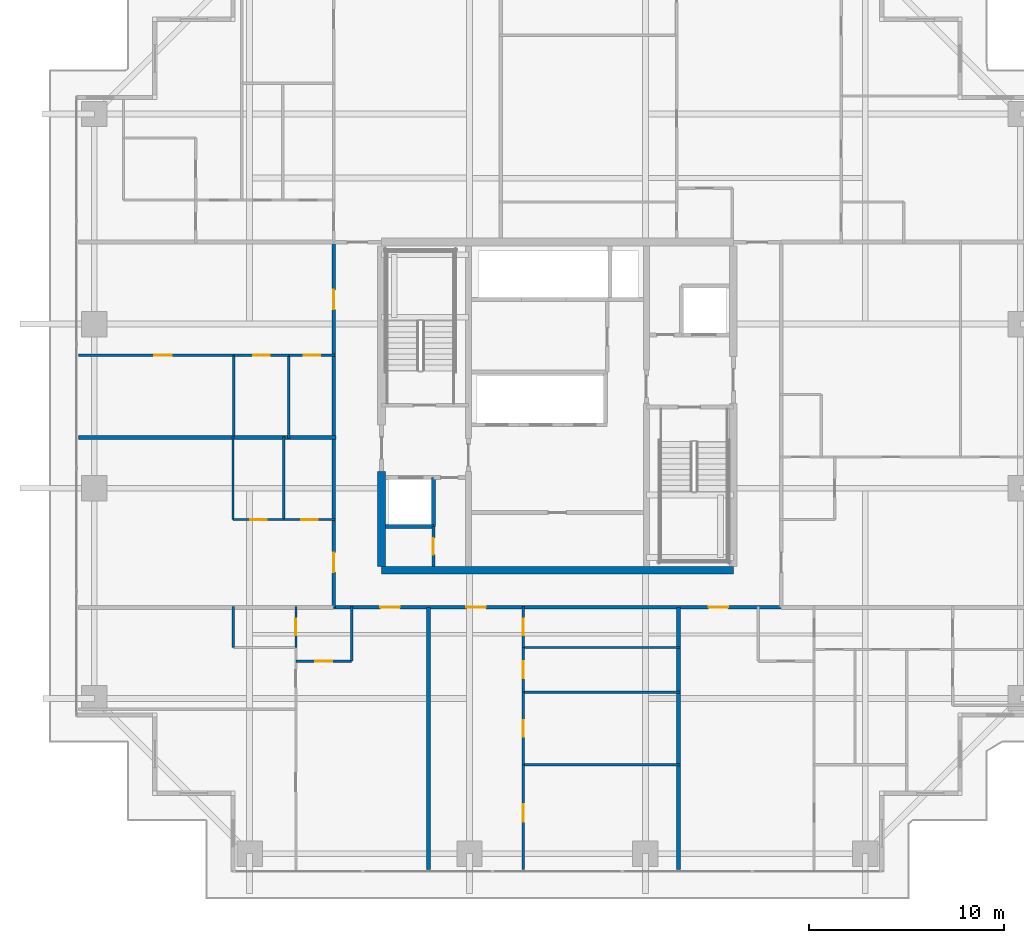
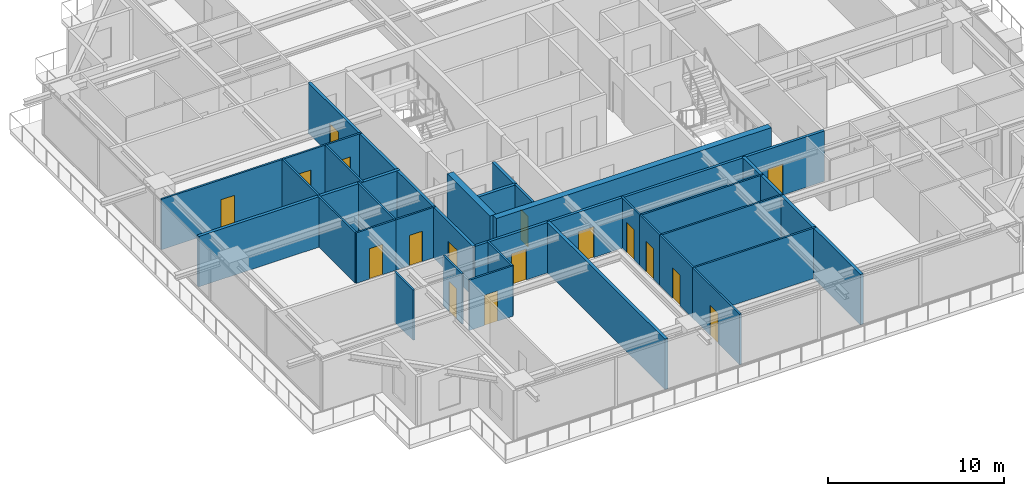
# One storey, part 23 of 33: 30 walls, 17 doors, 17 openings.
"""IFC4 building model written with IfcOpenShell, lengths in metres."""

from ifc_helpers import new_model, si_unit, direction, frame, frame_2d, origin, place, context, subcontext, project, spatial, rectangle, extrude, source, transform, mapped, material, layer, layer_set, type_object, element, fill, save


model = new_model("IFC4")

# Units and contexts
model_context = context("Model", 3, precision=1e-05, world=origin(), true_north=direction((0.0, 1.0)))
body_context = subcontext(model_context, "Body", "Model", "MODEL_VIEW")
ifc_project = project(units=[si_unit("LENGTHUNIT", "METRE"), si_unit("AREAUNIT", "SQUARE_METRE"), si_unit("VOLUMEUNIT", "CUBIC_METRE"), si_unit("PLANEANGLEUNIT", "RADIAN"), si_unit("MASSUNIT", "GRAM", prefix="KILO")], contexts=[model_context])

# Site, building, storey
site_placement = place(None, origin())
site = spatial("IfcSite", under=ifc_project, at=site_placement, CompositionType="ELEMENT")
building_placement = place(site_placement, origin())
building = spatial("IfcBuilding", under=site, at=building_placement, Name="Serunith Strait Residences", CompositionType="ELEMENT")
storey_placement = place(building_placement, frame((0.0, 0.0, 165.14990234375)))
storey = spatial("IfcBuildingStorey", under=building, at=storey_placement, Name="L41", CompositionType="ELEMENT", Elevation=165.14990234375)

# Wall, opening, door
ifc_material_1 = material(Name="Fire-rated masonry service closet wall", Category="masonry")
ifc_layer_1 = layer(ifc_material_1, 0.14990234375, Name="Fire-rated masonry service closet wall")
ifc_layer_set_1 = layer_set([ifc_layer_1], Name="Fire-rated masonry service closet wall")
wall_type_1 = type_object("IfcWallType", Name="IW-BOH-150", PredefinedType="PARTITIONING", material=ifc_layer_set_1)
wall_1_placement = place(storey_placement, frame((26.050048828125, 17.0, 0.0), z_axis=(0.0, 0.0, 1.0), x_axis=(0.0, 1.0, 0.0)))
wall_1 = element("IfcWall", 1, at=wall_1_placement, inside=storey, type_object=wall_type_1, Name="L41 Partition Wall 012", PredefinedType="PARTITIONING", context=body_context, shape_type="SweptSolid", body=[
    extrude(rectangle(XDim=2.048095703125, YDim=0.14990234375, at=frame_2d((1.02392578125, 0.0))), origin(), (0.0, 0.0, 1.0), 3.489990234375),
])
opening_1_placement = place(wall_1_placement, frame((0.59912109375, 0.0, 0.0)))
opening_1 = element("IfcOpeningElement", 2, at=opening_1_placement, cuts=wall_1, Name="Opening FD-850", PredefinedType="OPENING", context=body_context, shape_type="SweptSolid", body=[
    extrude(rectangle(XDim=0.85009765625, YDim=2.10009765625, at=frame_2d((0.425048828125, 1.050048828125))), frame((0.0, 0.0849609375, 0.0), z_axis=(0.0, -1.0, 0.0), x_axis=(1.0, 0.0, 0.0)), (0.0, 0.0, 1.0), 0.169921875),
])
ifc_material_2 = material(Name="Powder-coated steel service closet door", Category="steel")
door_type_1 = type_object("IfcDoorType", Name="FD-BOH-850", OperationType="NOTDEFINED", PredefinedType="DOOR", material=ifc_material_2)
shared_shape_1 = source(origin(), body_context, "Body", "SweptSolid", [
    extrude(rectangle(XDim=0.85009765625, YDim=2.10009765625, at=frame_2d((0.425048828125, 1.050048828125))), frame((0.0, 0.02490234375, 0.0), z_axis=(0.0, -1.0, 0.0), x_axis=(1.0, 0.0, 0.0)), (0.0, 0.0, 1.0), 0.050048828125),
])
door_1_placement = place(opening_1_placement, origin())
door_1 = element("IfcDoor", 3, at=door_1_placement, inside=storey, type_object=door_type_1, Name="L41 Cleaner Store Door", OperationType="SINGLE_SWING_LEFT", OverallHeight=2.10009765625, OverallWidth=0.85009765625, PredefinedType="DOOR", context=body_context, shape_type="MappedRepresentation", body=[
    mapped(shared_shape_1, transform((0.0, 0.0, 0.0), scale=1.0)),
])
fill(opening_1, door_1)

# Wall, openings, doors
ifc_material_3 = material(Name="Fire-rated acoustic gypsum partition")
ifc_layer_2 = layer(ifc_material_3, 0.179931640625, Name="Fire-rated acoustic gypsum partition")
ifc_layer_set_2 = layer_set([ifc_layer_2], Name="Fire-rated acoustic gypsum partition")
wall_type_2 = type_object("IfcWallType", Name="IW-CORR-180", PredefinedType="PARTITIONING", material=ifc_layer_set_2)
wall_2_placement = place(storey_placement, frame((20.951904296875, 14.89990234375, 0.0), z_axis=(0.0, 0.0, 1.0), x_axis=(1.0, 0.0, 0.0)))
wall_2 = element("IfcWall", 4, at=wall_2_placement, inside=storey, type_object=wall_type_2, Name="L41 Partition Wall 023", PredefinedType="PARTITIONING", context=body_context, shape_type="SweptSolid", body=[
    extrude(rectangle(XDim=22.89599609375, YDim=0.179931640625, at=frame_2d((11.447998046875, 0.0))), origin(), (0.0, 0.0, 1.0), 3.489990234375),
])
opening_2_placement = place(wall_2_placement, frame((2.386962890625, 0.0, 0.0)))
opening_2 = element("IfcOpeningElement", 5, at=opening_2_placement, cuts=wall_2, Name="Opening D-APT1000", PredefinedType="OPENING", context=body_context, shape_type="SweptSolid", body=[
    extrude(rectangle(XDim=1.0, YDim=2.14990234375, at=frame_2d((0.5, 1.074951171875))), frame((0.0, 0.10009765625, 0.0), z_axis=(0.0, -1.0, 0.0), x_axis=(1.0, 0.0, 0.0)), (0.0, 0.0, 1.0), 0.199951171875),
])
opening_3_placement = place(wall_2_placement, frame((6.7880859375, 0.0, 0.0)))
opening_3 = element("IfcOpeningElement", 6, at=opening_3_placement, cuts=wall_2, Name="Opening D-APT1000", PredefinedType="OPENING", context=body_context, shape_type="SweptSolid", body=[
    extrude(rectangle(XDim=1.0, YDim=2.14990234375, at=frame_2d((0.5, 1.074951171875))), frame((0.0, 0.10009765625, 0.0), z_axis=(0.0, -1.0, 0.0), x_axis=(1.0, 0.0, 0.0)), (0.0, 0.0, 1.0), 0.199951171875),
])
opening_4_placement = place(wall_2_placement, frame((19.180908203125, 0.0, 0.0)))
opening_4 = element("IfcOpeningElement", 7, at=opening_4_placement, cuts=wall_2, Name="Opening D-APT1000", PredefinedType="OPENING", context=body_context, shape_type="SweptSolid", body=[
    extrude(rectangle(XDim=1.0, YDim=2.14990234375, at=frame_2d((0.5, 1.074951171875))), frame((0.0, 0.10009765625, 0.0), z_axis=(0.0, -1.0, 0.0), x_axis=(1.0, 0.0, 0.0)), (0.0, 0.0, 1.0), 0.199951171875),
])
ifc_material_4 = material(Name="Solid timber engineered fire door", Category="wood")
door_type_2 = type_object("IfcDoorType", Name="ID-APT-1000", OperationType="NOTDEFINED", PredefinedType="DOOR", material=ifc_material_4)
shared_shape_2 = source(origin(), body_context, "Body", "SweptSolid", [
    extrude(rectangle(XDim=1.0, YDim=2.14990234375, at=frame_2d((0.5, 1.074951171875))), frame((0.0, 0.02490234375, 0.0), z_axis=(0.0, -1.0, 0.0), x_axis=(1.0, 0.0, 0.0)), (0.0, 0.0, 1.0), 0.050048828125),
])
door_2_placement = place(opening_2_placement, origin())
door_2 = element("IfcDoor", 8, at=door_2_placement, inside=storey, type_object=door_type_2, Name="L41 Unit 01 Entrance Door", OperationType="SINGLE_SWING_RIGHT", OverallHeight=2.14990234375, OverallWidth=1.0, PredefinedType="DOOR", context=body_context, shape_type="MappedRepresentation", body=[
    mapped(shared_shape_2, transform((0.0, 0.0, 0.0), scale=1.0)),
])
fill(opening_2, door_2)
door_3_placement = place(opening_3_placement, origin())
door_3 = element("IfcDoor", 9, at=door_3_placement, inside=storey, type_object=door_type_2, Name="L41 Unit 02 Entrance Door", OperationType="SINGLE_SWING_LEFT", OverallHeight=2.14990234375, OverallWidth=1.0, PredefinedType="DOOR", context=body_context, shape_type="MappedRepresentation", body=[
    mapped(shared_shape_2, transform((0.0, 0.0, 0.0), scale=1.0)),
])
fill(opening_3, door_3)
door_4_placement = place(opening_4_placement, origin())
door_4 = element("IfcDoor", 10, at=door_4_placement, inside=storey, type_object=door_type_2, Name="L41 Unit 03 Entrance Door", OperationType="SINGLE_SWING_RIGHT", OverallHeight=2.14990234375, OverallWidth=1.0, PredefinedType="DOOR", context=body_context, shape_type="MappedRepresentation", body=[
    mapped(shared_shape_2, transform((0.0, 0.0, 0.0), scale=1.0)),
])
fill(opening_4, door_4)

wall_3_placement = place(storey_placement, frame((20.949951171875, 14.89990234375, 0.0), z_axis=(0.0, 0.0, 1.0), x_axis=(0.0, 1.0, 0.0)))
wall_3 = element("IfcWall", 11, at=wall_3_placement, inside=storey, type_object=wall_type_2, Name="L41 Partition Wall 024", PredefinedType="PARTITIONING", context=body_context, shape_type="SweptSolid", body=[
    extrude(rectangle(XDim=18.7001953125, YDim=0.179931640625, at=frame_2d((9.35009765625, 0.0))), origin(), (0.0, 0.0, 1.0), 3.489990234375),
])
opening_5_placement = place(wall_3_placement, frame((1.804931640625, 0.0, 0.0)))
opening_5 = element("IfcOpeningElement", 12, at=opening_5_placement, cuts=wall_3, Name="Opening D-APT1000", PredefinedType="OPENING", context=body_context, shape_type="SweptSolid", body=[
    extrude(rectangle(XDim=1.0, YDim=2.14990234375, at=frame_2d((0.5, 1.074951171875))), frame((0.0, 0.10009765625, 0.0), z_axis=(0.0, -1.0, 0.0), x_axis=(1.0, 0.0, 0.0)), (0.0, 0.0, 1.0), 0.199951171875),
])
opening_6_placement = place(wall_3_placement, frame((15.257080078125, 0.0, 0.0)))
opening_6 = element("IfcOpeningElement", 13, at=opening_6_placement, cuts=wall_3, Name="Opening D-APT1000", PredefinedType="OPENING", context=body_context, shape_type="SweptSolid", body=[
    extrude(rectangle(XDim=1.0, YDim=2.14990234375, at=frame_2d((0.5, 1.074951171875))), frame((0.0, 0.10009765625, 0.0), z_axis=(0.0, -1.0, 0.0), x_axis=(1.0, 0.0, 0.0)), (0.0, 0.0, 1.0), 0.199951171875),
])
door_5_placement = place(opening_5_placement, origin())
door_5 = element("IfcDoor", 14, at=door_5_placement, inside=storey, type_object=door_type_2, Name="L41 Unit 06 Entrance Door", OperationType="SINGLE_SWING_LEFT", OverallHeight=2.14990234375, OverallWidth=1.0, PredefinedType="DOOR", context=body_context, shape_type="MappedRepresentation", body=[
    mapped(shared_shape_2, transform((0.0, 0.0, 0.0), scale=1.0)),
])
fill(opening_5, door_5)
door_6_placement = place(opening_6_placement, origin())
door_6 = element("IfcDoor", 15, at=door_6_placement, inside=storey, type_object=door_type_2, Name="L41 Unit 07 Entrance Door", OperationType="SINGLE_SWING_RIGHT", OverallHeight=2.14990234375, OverallWidth=1.0, PredefinedType="DOOR", context=body_context, shape_type="MappedRepresentation", body=[
    mapped(shared_shape_2, transform((0.0, 0.0, 0.0), scale=1.0)),
])
fill(opening_6, door_6)

# Wall, opening, door
ifc_material_5 = material(Name="Lightweight steel-stud gypsum partition", Category="steel")
ifc_layer_3 = layer(ifc_material_5, 0.1201171875, Name="Lightweight steel-stud gypsum partition")
ifc_layer_set_3 = layer_set([ifc_layer_3], Name="Lightweight steel-stud gypsum partition")
wall_type_3 = type_object("IfcWallType", Name="IW-PART-120", PredefinedType="PARTITIONING", material=ifc_layer_set_3)
wall_4_placement = place(storey_placement, frame((19.02001953125, 12.14990234375, 0.0), z_axis=(0.0, 0.0, 1.0), x_axis=(1.0, 0.0, 0.0)))
wall_4 = element("IfcWall", 16, at=wall_4_placement, inside=storey, type_object=wall_type_3, Name="L41 Partition Wall 028", PredefinedType="PARTITIONING", context=body_context, shape_type="SweptSolid", body=[
    extrude(rectangle(XDim=2.85009765625, YDim=0.1201171875, at=frame_2d((1.425048828125, 0.0))), origin(), (0.0, 0.0, 1.0), 3.489990234375),
])
opening_7_placement = place(wall_4_placement, frame((1.0, 0.0, 0.0)))
opening_7 = element("IfcOpeningElement", 17, at=opening_7_placement, cuts=wall_4, Name="Opening D-RM850", PredefinedType="OPENING", context=body_context, shape_type="SweptSolid", body=[
    extrude(rectangle(XDim=0.85009765625, YDim=2.10009765625, at=frame_2d((0.425048828125, 1.050048828125))), frame((0.0, 0.070068359375, 0.0), z_axis=(0.0, -1.0, 0.0), x_axis=(1.0, 0.0, 0.0)), (0.0, 0.0, 1.0), 0.14013671875),
])
ifc_material_6 = material(Name="Engineered timber flush study and kitchen door", Category="wood")
door_type_3 = type_object("IfcDoorType", Name="ID-ROOM-850", OperationType="NOTDEFINED", PredefinedType="DOOR", material=ifc_material_6)
door_7_placement = place(opening_7_placement, origin())
door_7 = element("IfcDoor", 18, at=door_7_placement, inside=storey, type_object=door_type_3, Name="L41 Kitchen 4101 Door", OperationType="SINGLE_SWING_RIGHT", OverallHeight=2.10009765625, OverallWidth=0.85009765625, PredefinedType="DOOR", context=body_context, shape_type="MappedRepresentation", body=[
    mapped(shared_shape_1, transform((0.0, 0.0, 0.0), scale=1.0)),
])
fill(opening_7, door_7)

# Walls
wall_5_placement = place(storey_placement, frame((21.8701171875, 12.14990234375, 0.0), z_axis=(0.0, 0.0, 1.0), x_axis=(0.0, 1.0, 0.0)))
element("IfcWall", 19, at=wall_5_placement, inside=storey, type_object=wall_type_3, Name="L41 Partition Wall 029", PredefinedType="PARTITIONING", context=body_context, shape_type="SweptSolid", body=[
    extrude(rectangle(XDim=2.81005859375, YDim=0.1201171875, at=frame_2d((1.405029296875, 0.0))), origin(), (0.0, 0.0, 1.0), 3.489990234375),
])
wall_6_placement = place(storey_placement, frame((15.820068359375, 12.85009765625, 0.0), z_axis=(0.0, 0.0, 1.0), x_axis=(0.0, 1.0, 0.0)))
element("IfcWall", 20, at=wall_6_placement, inside=storey, type_object=wall_type_3, Name="L41 Partition Wall 033", PredefinedType="PARTITIONING", context=body_context, shape_type="SweptSolid", body=[
    extrude(rectangle(XDim=2.10986328125, YDim=0.1201171875, at=frame_2d((1.054931640625, 0.0))), origin(), (0.0, 0.0, 1.0), 3.489990234375),
])

# Wall, opening, door
wall_7_placement = place(storey_placement, frame((19.02001953125, 12.85205078125, 0.0), z_axis=(0.0, 0.0, 1.0), x_axis=(0.0, 1.0, 0.0)))
wall_7 = element("IfcWall", 21, at=wall_7_placement, inside=storey, type_object=wall_type_3, Name="L41 Partition Wall 035", PredefinedType="PARTITIONING", context=body_context, shape_type="SweptSolid", body=[
    extrude(rectangle(XDim=2.10791015625, YDim=0.1201171875, at=frame_2d((1.053955078125, 0.0))), origin(), (0.0, 0.0, 1.0), 3.489990234375),
])
opening_8_placement = place(wall_7_placement, frame((0.62890625, 0.0, 0.0)))
opening_8 = element("IfcOpeningElement", 22, at=opening_8_placement, cuts=wall_7, Name="Opening D-BTH850", PredefinedType="OPENING", context=body_context, shape_type="SweptSolid", body=[
    extrude(rectangle(XDim=0.85009765625, YDim=2.10009765625, at=frame_2d((0.425048828125, 1.050048828125))), frame((0.0, 0.070068359375, 0.0), z_axis=(0.0, -1.0, 0.0), x_axis=(1.0, 0.0, 0.0)), (0.0, 0.0, 1.0), 0.14013671875),
])
ifc_material_7 = material(Name="Moisture-resistant timber bathroom door", Category="wood")
door_type_4 = type_object("IfcDoorType", Name="ID-BATH-850", OperationType="NOTDEFINED", PredefinedType="DOOR", material=ifc_material_7)
door_8_placement = place(opening_8_placement, origin())
door_8 = element("IfcDoor", 23, at=door_8_placement, inside=storey, type_object=door_type_4, Name="L41 Bathroom 4101 Door", OperationType="SINGLE_SWING_LEFT", OverallHeight=2.10009765625, OverallWidth=0.85009765625, PredefinedType="DOOR", context=body_context, shape_type="MappedRepresentation", body=[
    mapped(shared_shape_1, transform((0.0, 0.0, 0.0), scale=1.0)),
])
fill(opening_8, door_8)

wall_8_placement = place(storey_placement, frame((30.659912109375, 1.4951171875, 0.0), z_axis=(0.0, 0.0, 1.0), x_axis=(0.0, 1.0, 0.0)))
wall_8 = element("IfcWall", 24, at=wall_8_placement, inside=storey, type_object=wall_type_3, Name="L41 Partition Wall 036", PredefinedType="PARTITIONING", context=body_context, shape_type="SweptSolid", body=[
    extrude(rectangle(XDim=5.348876953125, YDim=0.1201171875, at=frame_2d((2.67431640625, 0.0))), origin(), (0.0, 0.0, 1.0), 3.489990234375),
])
opening_9_placement = place(wall_8_placement, frame((2.447021484375, 0.0, 0.0)))
opening_9 = element("IfcOpeningElement", 25, at=opening_9_placement, cuts=wall_8, Name="Opening D-RM900", PredefinedType="OPENING", context=body_context, shape_type="SweptSolid", body=[
    extrude(rectangle(XDim=0.89990234375, YDim=2.10009765625, at=frame_2d((0.449951171875, 1.050048828125))), frame((0.0, 0.070068359375, 0.0), z_axis=(0.0, -1.0, 0.0), x_axis=(1.0, 0.0, 0.0)), (0.0, 0.0, 1.0), 0.14013671875),
])
ifc_material_8 = material(Name="Engineered timber flush bedroom door", Category="wood")
door_type_5 = type_object("IfcDoorType", Name="ID-ROOM-900", OperationType="NOTDEFINED", PredefinedType="DOOR", material=ifc_material_8)
shared_shape_3 = source(origin(), body_context, "Body", "SweptSolid", [
    extrude(rectangle(XDim=0.89990234375, YDim=2.10009765625, at=frame_2d((0.449951171875, 1.050048828125))), frame((0.0, 0.02490234375, 0.0), z_axis=(0.0, -1.0, 0.0), x_axis=(1.0, 0.0, 0.0)), (0.0, 0.0, 1.0), 0.050048828125),
])
door_9_placement = place(opening_9_placement, origin())
door_9 = element("IfcDoor", 26, at=door_9_placement, inside=storey, type_object=door_type_5, Name="L41 Master Bedroom 1 4102 Door", OperationType="SINGLE_SWING_RIGHT", OverallHeight=2.10009765625, OverallWidth=0.89990234375, PredefinedType="DOOR", context=body_context, shape_type="MappedRepresentation", body=[
    mapped(shared_shape_3, transform((0.0, 0.0, 0.0), scale=1.0)),
])
fill(opening_9, door_9)

# Walls
for number, where, z_axis, x_axis, name in (
    (27, (30.659912109375, 6.843994140625, 0.0), (0.0, 0.0, 1.0), (1.0, 0.0, 0.0), "L41 Partition Wall 037"),
    (28, (30.659912109375, 10.570068359375, 0.0), (0.0, 0.0, 1.0), (1.0, 0.0, 0.0), "L41 Partition Wall 038"),
    (29, (30.659912109375, 12.85009765625, 0.0), (0.0, 0.0, 1.0), (1.0, 0.0, 0.0), "L41 Partition Wall 039"),
):
    element("IfcWall", number, at=place(storey_placement, frame(where, z_axis=z_axis, x_axis=x_axis)), inside=storey, type_object=wall_type_3, Name=name, PredefinedType="PARTITIONING", context=body_context, shape_type="SweptSolid", body=[
        extrude(rectangle(XDim=8.0, YDim=0.1201171875, at=frame_2d((4.0, 0.0))), origin(), (0.0, 0.0, 1.0), 3.489990234375),
    ])

# Wall, opening, door
wall_9_placement = place(storey_placement, frame((30.659912109375, 6.845947265625, 0.0), z_axis=(0.0, 0.0, 1.0), x_axis=(0.0, 1.0, 0.0)))
wall_9 = element("IfcWall", 30, at=wall_9_placement, inside=storey, type_object=wall_type_3, Name="L41 Partition Wall 040", PredefinedType="PARTITIONING", context=body_context, shape_type="SweptSolid", body=[
    extrude(rectangle(XDim=3.72412109375, YDim=0.1201171875, at=frame_2d((1.862060546875, 0.0))), origin(), (0.0, 0.0, 1.0), 3.489990234375),
])
opening_10_placement = place(wall_9_placement, frame((1.43701171875, 0.0, 0.0)))
opening_10 = element("IfcOpeningElement", 31, at=opening_10_placement, cuts=wall_9, Name="Opening D-RM850", PredefinedType="OPENING", context=body_context, shape_type="SweptSolid", body=[
    extrude(rectangle(XDim=0.85009765625, YDim=2.10009765625, at=frame_2d((0.425048828125, 1.050048828125))), frame((0.0, 0.070068359375, 0.0), z_axis=(0.0, -1.0, 0.0), x_axis=(1.0, 0.0, 0.0)), (0.0, 0.0, 1.0), 0.14013671875),
])
door_10_placement = place(opening_10_placement, origin())
door_10 = element("IfcDoor", 32, at=door_10_placement, inside=storey, type_object=door_type_3, Name="L41 Dining 4102 Door", OperationType="SINGLE_SWING_LEFT", OverallHeight=2.10009765625, OverallWidth=0.85009765625, PredefinedType="DOOR", context=body_context, shape_type="MappedRepresentation", body=[
    mapped(shared_shape_1, transform((0.0, 0.0, 0.0), scale=1.0)),
])
fill(opening_10, door_10)

wall_10_placement = place(storey_placement, frame((30.659912109375, 10.572021484375, 0.0), z_axis=(0.0, 0.0, 1.0), x_axis=(0.0, 1.0, 0.0)))
wall_10 = element("IfcWall", 33, at=wall_10_placement, inside=storey, type_object=wall_type_3, Name="L41 Partition Wall 041", PredefinedType="PARTITIONING", context=body_context, shape_type="SweptSolid", body=[
    extrude(rectangle(XDim=2.278076171875, YDim=0.1201171875, at=frame_2d((1.13916015625, 0.0))), origin(), (0.0, 0.0, 1.0), 3.489990234375),
])
opening_11_placement = place(wall_10_placement, frame((0.714111328125, 0.0, 0.0)))
opening_11 = element("IfcOpeningElement", 34, at=opening_11_placement, cuts=wall_10, Name="Opening D-RM850", PredefinedType="OPENING", context=body_context, shape_type="SweptSolid", body=[
    extrude(rectangle(XDim=0.85009765625, YDim=2.10009765625, at=frame_2d((0.425048828125, 1.050048828125))), frame((0.0, 0.070068359375, 0.0), z_axis=(0.0, -1.0, 0.0), x_axis=(1.0, 0.0, 0.0)), (0.0, 0.0, 1.0), 0.14013671875),
])
door_11_placement = place(opening_11_placement, origin())
door_11 = element("IfcDoor", 35, at=door_11_placement, inside=storey, type_object=door_type_3, Name="L41 Kitchen 4102 Door", OperationType="SINGLE_SWING_RIGHT", OverallHeight=2.10009765625, OverallWidth=0.85009765625, PredefinedType="DOOR", context=body_context, shape_type="MappedRepresentation", body=[
    mapped(shared_shape_1, transform((0.0, 0.0, 0.0), scale=1.0)),
])
fill(opening_11, door_11)

wall_11_placement = place(storey_placement, frame((30.659912109375, 12.85205078125, 0.0), z_axis=(0.0, 0.0, 1.0), x_axis=(0.0, 1.0, 0.0)))
wall_11 = element("IfcWall", 36, at=wall_11_placement, inside=storey, type_object=wall_type_3, Name="L41 Partition Wall 042", PredefinedType="PARTITIONING", context=body_context, shape_type="SweptSolid", body=[
    extrude(rectangle(XDim=2.10791015625, YDim=0.1201171875, at=frame_2d((1.053955078125, 0.0))), origin(), (0.0, 0.0, 1.0), 3.489990234375),
])
opening_12_placement = place(wall_11_placement, frame((0.62890625, 0.0, 0.0)))
opening_12 = element("IfcOpeningElement", 37, at=opening_12_placement, cuts=wall_11, Name="Opening D-BTH850", PredefinedType="OPENING", context=body_context, shape_type="SweptSolid", body=[
    extrude(rectangle(XDim=0.85009765625, YDim=2.10009765625, at=frame_2d((0.425048828125, 1.050048828125))), frame((0.0, 0.070068359375, 0.0), z_axis=(0.0, -1.0, 0.0), x_axis=(1.0, 0.0, 0.0)), (0.0, 0.0, 1.0), 0.14013671875),
])
door_12_placement = place(opening_12_placement, origin())
door_12 = element("IfcDoor", 38, at=door_12_placement, inside=storey, type_object=door_type_4, Name="L41 Bathroom 4102 Door", OperationType="SINGLE_SWING_LEFT", OverallHeight=2.10009765625, OverallWidth=0.85009765625, PredefinedType="DOOR", context=body_context, shape_type="MappedRepresentation", body=[
    mapped(shared_shape_1, transform((0.0, 0.0, 0.0), scale=1.0)),
])
fill(opening_12, door_12)

wall_12_placement = place(storey_placement, frame((15.800048828125, 19.39990234375, 0.0), z_axis=(0.0, 0.0, 1.0), x_axis=(1.0, 0.0, 0.0)))
wall_12 = element("IfcWall", 39, at=wall_12_placement, inside=storey, type_object=wall_type_3, Name="L41 Partition Wall 085", PredefinedType="PARTITIONING", context=body_context, shape_type="SweptSolid", body=[
    extrude(rectangle(XDim=2.599853515625, YDim=0.1201171875, at=frame_2d((1.2998046875, 0.0))), origin(), (0.0, 0.0, 1.0), 3.489990234375),
])
opening_13_placement = place(wall_12_placement, frame((0.875, 0.0, 0.0)))
opening_13 = element("IfcOpeningElement", 40, at=opening_13_placement, cuts=wall_12, Name="Opening D-RM850", PredefinedType="OPENING", context=body_context, shape_type="SweptSolid", body=[
    extrude(rectangle(XDim=0.85009765625, YDim=2.10009765625, at=frame_2d((0.425048828125, 1.050048828125))), frame((0.0, 0.070068359375, 0.0), z_axis=(0.0, -1.0, 0.0), x_axis=(1.0, 0.0, 0.0)), (0.0, 0.0, 1.0), 0.14013671875),
])
door_13_placement = place(opening_13_placement, origin())
door_13 = element("IfcDoor", 41, at=door_13_placement, inside=storey, type_object=door_type_3, Name="L41 Kitchen 4106 Door", OperationType="SINGLE_SWING_RIGHT", OverallHeight=2.10009765625, OverallWidth=0.85009765625, PredefinedType="DOOR", context=body_context, shape_type="MappedRepresentation", body=[
    mapped(shared_shape_1, transform((0.0, 0.0, 0.0), scale=1.0)),
])
fill(opening_13, door_13)

wall_13_placement = place(storey_placement, frame((18.402099609375, 19.39990234375, 0.0), z_axis=(0.0, 0.0, 1.0), x_axis=(1.0, 0.0, 0.0)))
wall_13 = element("IfcWall", 42, at=wall_13_placement, inside=storey, type_object=wall_type_3, Name="L41 Partition Wall 086", PredefinedType="PARTITIONING", context=body_context, shape_type="SweptSolid", body=[
    extrude(rectangle(XDim=2.60791015625, YDim=0.1201171875, at=frame_2d((1.303955078125, 0.0))), origin(), (0.0, 0.0, 1.0), 3.489990234375),
])
opening_14_placement = place(wall_13_placement, frame((0.87890625, 0.0, 0.0)))
opening_14 = element("IfcOpeningElement", 43, at=opening_14_placement, cuts=wall_13, Name="Opening D-BTH850", PredefinedType="OPENING", context=body_context, shape_type="SweptSolid", body=[
    extrude(rectangle(XDim=0.85009765625, YDim=2.10009765625, at=frame_2d((0.425048828125, 1.050048828125))), frame((0.0, 0.070068359375, 0.0), z_axis=(0.0, -1.0, 0.0), x_axis=(1.0, 0.0, 0.0)), (0.0, 0.0, 1.0), 0.14013671875),
])
door_14_placement = place(opening_14_placement, origin())
door_14 = element("IfcDoor", 44, at=door_14_placement, inside=storey, type_object=door_type_4, Name="L41 Bathroom 4106 Door", OperationType="SINGLE_SWING_LEFT", OverallHeight=2.10009765625, OverallWidth=0.85009765625, PredefinedType="DOOR", context=body_context, shape_type="MappedRepresentation", body=[
    mapped(shared_shape_1, transform((0.0, 0.0, 0.0), scale=1.0)),
])
fill(opening_14, door_14)

# Walls
for number, where, z_axis, x_axis, name in (
    (45, (18.39990234375, 19.39990234375, 0.0), (0.0, 0.0, 1.0), (0.0, 1.0, 0.0), "L41 Partition Wall 087"),
    (46, (15.800048828125, 19.39990234375, 0.0), (0.0, 0.0, 1.0), (0.0, 1.0, 0.0), "L41 Partition Wall 088"),
):
    element("IfcWall", number, at=place(storey_placement, frame(where, z_axis=z_axis, x_axis=x_axis)), inside=storey, type_object=wall_type_3, Name=name, PredefinedType="PARTITIONING", context=body_context, shape_type="SweptSolid", body=[
        extrude(rectangle(XDim=4.260009765625, YDim=0.1201171875, at=frame_2d((2.1298828125, 0.0))), origin(), (0.0, 0.0, 1.0), 3.489990234375),
    ])

# Wall, opening, door
wall_14_placement = place(storey_placement, frame((7.89501953125, 27.800048828125, 0.0), z_axis=(0.0, 0.0, 1.0), x_axis=(1.0, 0.0, 0.0)))
wall_14 = element("IfcWall", 47, at=wall_14_placement, inside=storey, type_object=wall_type_3, Name="L41 Partition Wall 089", PredefinedType="PARTITIONING", context=body_context, shape_type="SweptSolid", body=[
    extrude(rectangle(XDim=7.950927734375, YDim=0.1201171875, at=frame_2d((3.9755859375, 0.0))), origin(), (0.0, 0.0, 1.0), 3.489990234375),
])
opening_15_placement = place(wall_14_placement, frame((3.8779296875, 0.0, 0.0)))
opening_15 = element("IfcOpeningElement", 48, at=opening_15_placement, cuts=wall_14, Name="Opening D-RM900", PredefinedType="OPENING", context=body_context, shape_type="SweptSolid", body=[
    extrude(rectangle(XDim=0.89990234375, YDim=2.10009765625, at=frame_2d((0.449951171875, 1.050048828125))), frame((0.0, 0.070068359375, 0.0), z_axis=(0.0, -1.0, 0.0), x_axis=(1.0, 0.0, 0.0)), (0.0, 0.0, 1.0), 0.14013671875),
])
door_15_placement = place(opening_15_placement, origin())
door_15 = element("IfcDoor", 49, at=door_15_placement, inside=storey, type_object=door_type_5, Name="L41 Master Bedroom 1 4107 Door", OperationType="SINGLE_SWING_RIGHT", OverallHeight=2.10009765625, OverallWidth=0.89990234375, PredefinedType="DOOR", context=body_context, shape_type="MappedRepresentation", body=[
    mapped(shared_shape_3, transform((0.0, 0.0, 0.0), scale=1.0)),
])
fill(opening_15, door_15)

# Walls
wall_15_placement = place(storey_placement, frame((15.845947265625, 23.662109375, 0.0), z_axis=(0.0, 0.0, 1.0), x_axis=(0.0, 1.0, 0.0)))
element("IfcWall", 50, at=wall_15_placement, inside=storey, type_object=wall_type_3, Name="L41 Partition Wall 090", PredefinedType="PARTITIONING", context=body_context, shape_type="SweptSolid", body=[
    extrude(rectangle(XDim=4.137939453125, YDim=0.1201171875, at=frame_2d((2.06884765625, 0.0))), origin(), (0.0, 0.0, 1.0), 3.489990234375),
])
wall_16_placement = place(storey_placement, frame((18.653076171875, 23.5400390625, 0.0), z_axis=(0.0, 0.0, 1.0), x_axis=(0.0, 1.0, 0.0)))
element("IfcWall", 51, at=wall_16_placement, inside=storey, type_object=wall_type_3, Name="L41 Partition Wall 091", PredefinedType="PARTITIONING", context=body_context, shape_type="SweptSolid", body=[
    extrude(rectangle(XDim=4.260009765625, YDim=0.1201171875, at=frame_2d((2.1298828125, 0.0))), origin(), (0.0, 0.0, 1.0), 3.489990234375),
])

# Wall, opening, door
wall_17_placement = place(storey_placement, frame((15.847900390625, 27.800048828125, 0.0), z_axis=(0.0, 0.0, 1.0), x_axis=(1.0, 0.0, 0.0)))
wall_17 = element("IfcWall", 52, at=wall_17_placement, inside=storey, type_object=wall_type_3, Name="L41 Partition Wall 092", PredefinedType="PARTITIONING", context=body_context, shape_type="SweptSolid", body=[
    extrude(rectangle(XDim=2.80517578125, YDim=0.1201171875, at=frame_2d((1.402587890625, 0.0))), origin(), (0.0, 0.0, 1.0), 3.489990234375),
])
opening_16_placement = place(wall_17_placement, frame((0.97705078125, 0.0, 0.0)))
opening_16 = element("IfcOpeningElement", 53, at=opening_16_placement, cuts=wall_17, Name="Opening D-RM850", PredefinedType="OPENING", context=body_context, shape_type="SweptSolid", body=[
    extrude(rectangle(XDim=0.85009765625, YDim=2.10009765625, at=frame_2d((0.425048828125, 1.050048828125))), frame((0.0, 0.070068359375, 0.0), z_axis=(0.0, -1.0, 0.0), x_axis=(1.0, 0.0, 0.0)), (0.0, 0.0, 1.0), 0.14013671875),
])
door_16_placement = place(opening_16_placement, origin())
door_16 = element("IfcDoor", 54, at=door_16_placement, inside=storey, type_object=door_type_3, Name="L41 Kitchen 4107 Door", OperationType="SINGLE_SWING_LEFT", OverallHeight=2.10009765625, OverallWidth=0.85009765625, PredefinedType="DOOR", context=body_context, shape_type="MappedRepresentation", body=[
    mapped(shared_shape_1, transform((0.0, 0.0, 0.0), scale=1.0)),
])
fill(opening_16, door_16)

wall_18_placement = place(storey_placement, frame((18.655029296875, 27.800048828125, 0.0), z_axis=(0.0, 0.0, 1.0), x_axis=(1.0, 0.0, 0.0)))
wall_18 = element("IfcWall", 55, at=wall_18_placement, inside=storey, type_object=wall_type_3, Name="L41 Partition Wall 093", PredefinedType="PARTITIONING", context=body_context, shape_type="SweptSolid", body=[
    extrude(rectangle(XDim=2.35498046875, YDim=0.1201171875, at=frame_2d((1.177490234375, 0.0))), origin(), (0.0, 0.0, 1.0), 3.489990234375),
])
opening_17_placement = place(wall_18_placement, frame((0.7529296875, 0.0, 0.0)))
opening_17 = element("IfcOpeningElement", 56, at=opening_17_placement, cuts=wall_18, Name="Opening D-BTH850", PredefinedType="OPENING", context=body_context, shape_type="SweptSolid", body=[
    extrude(rectangle(XDim=0.85009765625, YDim=2.10009765625, at=frame_2d((0.425048828125, 1.050048828125))), frame((0.0, 0.070068359375, 0.0), z_axis=(0.0, -1.0, 0.0), x_axis=(1.0, 0.0, 0.0)), (0.0, 0.0, 1.0), 0.14013671875),
])
door_17_placement = place(opening_17_placement, origin())
door_17 = element("IfcDoor", 57, at=door_17_placement, inside=storey, type_object=door_type_4, Name="L41 Bathroom 4107 Door", OperationType="SINGLE_SWING_RIGHT", OverallHeight=2.10009765625, OverallWidth=0.85009765625, PredefinedType="DOOR", context=body_context, shape_type="MappedRepresentation", body=[
    mapped(shared_shape_1, transform((0.0, 0.0, 0.0), scale=1.0)),
])
fill(opening_17, door_17)

# Walls
ifc_material_9 = material(Name="Twin-stud acoustic gypsum board partition")
ifc_layer_4 = layer(ifc_material_9, 0.199951171875, Name="Twin-stud acoustic gypsum board partition")
ifc_layer_set_4 = layer_set([ifc_layer_4], Name="Twin-stud acoustic gypsum board partition")
wall_type_4 = type_object("IfcWallType", Name="IW-PARTY-200", PredefinedType="PARTITIONING", material=ifc_layer_set_4)
for number, where, z_axis, x_axis, name in (
    (58, (25.800048828125, 1.48193359375, 0.0), (0.0, 0.0, 1.0), (0.0, 1.0, 0.0), "L41 Partition Wall 015"),
    (59, (38.60009765625, 1.48193359375, 0.0), (0.0, 0.0, 1.0), (0.0, 1.0, 0.0), "L41 Partition Wall 016"),
):
    element("IfcWall", number, at=place(storey_placement, frame(where, z_axis=z_axis, x_axis=x_axis)), inside=storey, type_object=wall_type_4, Name=name, PredefinedType="PARTITIONING", context=body_context, shape_type="SweptSolid", body=[
        extrude(rectangle(XDim=13.41796875, YDim=0.199951171875, at=frame_2d((6.708984375, 0.0))), origin(), (0.0, 0.0, 1.0), 3.489990234375),
    ])
wall_19_placement = place(storey_placement, frame((7.882080078125, 23.60009765625, 0.0), z_axis=(0.0, 0.0, 1.0), x_axis=(1.0, 0.0, 0.0)))
element("IfcWall", 60, at=wall_19_placement, inside=storey, type_object=wall_type_4, Name="L41 Partition Wall 018", PredefinedType="PARTITIONING", context=body_context, shape_type="SweptSolid", body=[
    extrude(rectangle(XDim=13.18798828125, YDim=0.199951171875, at=frame_2d((6.593994140625, 0.0))), origin(), (0.0, 0.0, 1.0), 3.489990234375),
])
ifc_material_10 = material(Name="Autoclaved aerated concrete blockwork", Category="masonry")
ifc_layer_5 = layer(ifc_material_10, 0.199951171875, Name="Autoclaved aerated concrete blockwork")
ifc_layer_set_5 = layer_set([ifc_layer_5], Name="Autoclaved aerated concrete blockwork")
wall_type_5 = type_object("IfcWallType", Name="IW-SHAFT-200", PredefinedType="STANDARD", material=ifc_layer_set_5)
wall_20_placement = place(storey_placement, frame((26.050048828125, 19.050048828125, 0.0), z_axis=(0.0, 0.0, 1.0), x_axis=(0.0, 1.0, 0.0)))
element("IfcWall", 61, at=wall_20_placement, inside=storey, type_object=wall_type_5, Name="L41 Partition Wall 001", PredefinedType="STANDARD", context=body_context, shape_type="SweptSolid", body=[
    extrude(rectangle(XDim=2.5, YDim=0.199951171875, at=frame_2d((1.25, 0.0))), origin(), (0.0, 0.0, 1.0), 3.489990234375),
])
wall_21_placement = place(storey_placement, frame((23.60009765625, 19.050048828125, 0.0), z_axis=(0.0, 0.0, 1.0), x_axis=(1.0, 0.0, 0.0)))
element("IfcWall", 62, at=wall_21_placement, inside=storey, type_object=wall_type_5, Name="L41 Partition Wall 002", PredefinedType="STANDARD", context=body_context, shape_type="SweptSolid", body=[
    extrude(rectangle(XDim=2.449951171875, YDim=0.199951171875, at=frame_2d((1.22509765625, 0.0))), origin(), (0.0, 0.0, 1.0), 3.489990234375),
])
ifc_material_11 = material(Name="Concrete C70/85", Category="concrete")
ifc_layer_6 = layer(ifc_material_11, 0.39990234375, Name="Concrete C70/85")
ifc_layer_set_6 = layer_set([ifc_layer_6], Name="Concrete C70/85")
wall_type_6 = type_object("IfcWallType", Name="SW-400-C70", PredefinedType="SHEAR", material=ifc_layer_set_6)
wall_22_placement = place(storey_placement, frame((23.39990234375, 16.800048828125, -0.260009765625), z_axis=(0.0, 0.0, 1.0), x_axis=(1.0, 0.0, 0.0)))
element("IfcWall", 63, at=wall_22_placement, inside=storey, type_object=wall_type_6, Name="L41 Core South Shear Wall", PredefinedType="SHEAR", context=body_context, shape_type="SweptSolid", body=[
    extrude(rectangle(XDim=18.0, YDim=0.39990234375, at=frame_2d((9.0, 0.0))), origin(), (0.0, 0.0, 1.0), 3.748046875),
])
wall_23_placement = place(storey_placement, frame((23.39990234375, 17.0, -0.260009765625), z_axis=(0.0, 0.0, 1.0), x_axis=(0.0, 1.0, 0.0)))
element("IfcWall", 64, at=wall_23_placement, inside=storey, type_object=wall_type_6, Name="L41 Core West Shear Wall South Pier", PredefinedType="SHEAR", context=body_context, shape_type="SweptSolid", body=[
    extrude(rectangle(XDim=4.85009765625, YDim=0.39990234375, at=frame_2d((2.425048828125, 0.0))), origin(), (0.0, 0.0, 1.0), 3.748046875),
])

save(model, "model.ifc")
